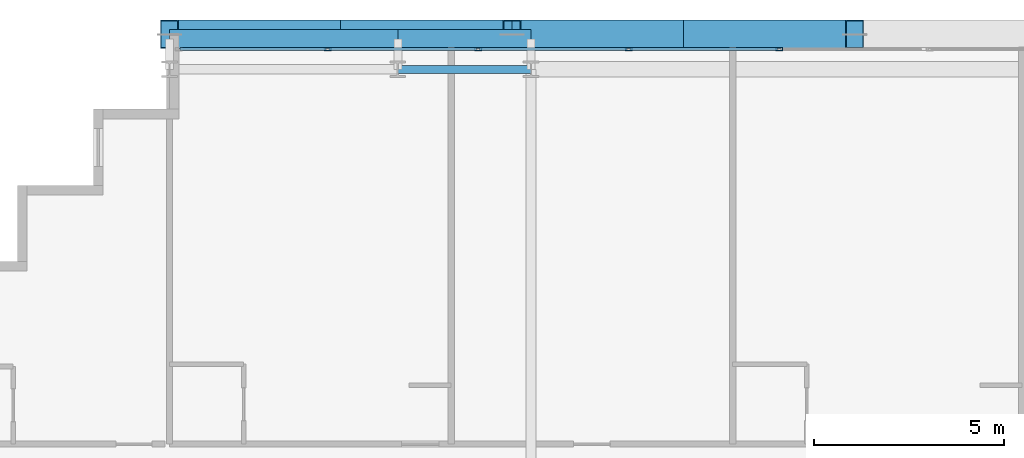
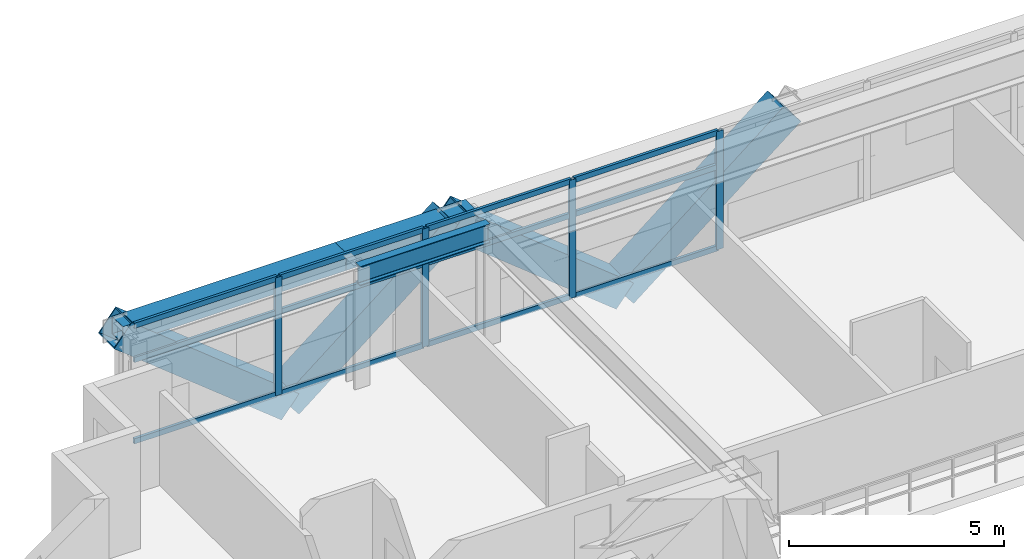
# One storey, part 18 of 35: 20 members, 3 beams, 1 element without a shape of its own.
"""IFC4 building model written with IfcOpenShell, lengths in metres."""

from ifc_helpers import new_model, si_unit, direction, frame, origin, origin_2d, place, context, subcontext, project, spatial, hollow_rectangle, i_section, extrude, source, transform, mapped, material, layer, layer_set, material_profile, profile_set, type_object, element, aggregate, save


model = new_model("IFC4")

# Units and contexts
model_context = context("Model", 3, precision=1e-05, world=origin(), true_north=direction((0.0, 1.0)))
body_context = subcontext(model_context, "Body", "Model", "MODEL_VIEW")
ifc_project = project(units=[si_unit("LENGTHUNIT", "METRE"), si_unit("AREAUNIT", "SQUARE_METRE"), si_unit("VOLUMEUNIT", "CUBIC_METRE"), si_unit("PLANEANGLEUNIT", "RADIAN"), si_unit("MASSUNIT", "GRAM", prefix="KILO")], contexts=[model_context])

# Site, building, storey
site_placement = place(None, origin())
site = spatial("IfcSite", under=ifc_project, at=site_placement, CompositionType="ELEMENT")
building_placement = place(site_placement, origin())
building = spatial("IfcBuilding", under=site, at=building_placement, Name="Ocotamira Hotel", CompositionType="ELEMENT")
storey_placement = place(building_placement, frame((0.0, 0.0, 115.199951171875)))
storey = spatial("IfcBuildingStorey", under=building, at=storey_placement, Name="L28", CompositionType="ELEMENT", Elevation=115.199951171875)

# Beams
ifc_material_1 = material(Name="Steel ASTM A992 Grade 50", Category="steel")
ifc_material_profile_1 = material_profile(ifc_material_1, i_section(OverallWidth=0.2099609375, OverallDepth=0.537109375, WebThickness=0.010986328125, FlangeThickness=0.017333984375, FilletRadius=0.012939453125, at=origin_2d()), Name="W21X68")
ifc_profile_set_1 = profile_set([ifc_material_profile_1], Name="Steel ASTM A992 Grade 50")
beam_type_1 = type_object("IfcBeamType", Name="BM-SEC-W21X68", PredefinedType="JOIST", material=ifc_profile_set_1)
shared_shape_1 = source(origin(), body_context, "Body", "SweptSolid", [
    extrude(i_section(OverallWidth=0.2099609375, OverallDepth=0.537109375, WebThickness=0.010986328125, FlangeThickness=0.017333984375, FilletRadius=0.012939453125, at=origin_2d()), origin(), (0.0, 0.0, 1.0), 3.5),
])
beam_1_placement = place(storey_placement, frame((20.0, 49.050048828125, 3.091552734375), z_axis=(1.0, 0.0, 0.0), x_axis=(0.0, 1.0, 0.0)))
element("IfcBeam", 1, at=beam_1_placement, inside=storey, type_object=beam_type_1, Name="L28 Girder Y49.05 X20-23.5", PredefinedType="JOIST", context=body_context, shape_type="MappedRepresentation", body=[
    mapped(shared_shape_1, transform((0.0, 0.0, 0.0), scale=1.0)),
])
ifc_material_2 = material(Name="Steel ASTM A500 Grade C", Category="steel")
ifc_material_profile_2 = material_profile(ifc_material_2, hollow_rectangle(XDim=0.5, YDim=0.5, WallThickness=0.02001953125, at=origin_2d()), Name="HSS500X500X20")
ifc_profile_set_2 = profile_set([ifc_material_profile_2], Name="Steel ASTM A500 Grade C")
beam_type_2 = type_object("IfcBeamType", Name="BM-SPAN-HSS500", PredefinedType="USERDEFINED", material=ifc_profile_set_2)
shared_shape_2 = source(origin(), body_context, "Body", "SweptSolid", [
    extrude(hollow_rectangle(XDim=0.5, YDim=0.5, WallThickness=0.02001953125, at=origin_2d()), origin(), (0.0, 0.0, 1.0), 6.0),
])
beam_2_placement = place(storey_placement, frame((14.0, 49.85009765625, 3.110107421875), z_axis=(1.0, 0.0, 0.0), x_axis=(0.0, 1.0, 0.0)))
element("IfcBeam", 2, at=beam_2_placement, inside=storey, type_object=beam_type_2, Name="L28 Edge Spandrel N X14-20", ObjectType="SPANDREL", PredefinedType="USERDEFINED", context=body_context, shape_type="MappedRepresentation", body=[
    mapped(shared_shape_2, transform((0.0, 0.0, 0.0), scale=1.0)),
])
shared_shape_3 = source(origin(), body_context, "Body", "SweptSolid", [
    extrude(hollow_rectangle(XDim=0.5, YDim=0.5, WallThickness=0.02001953125, at=origin_2d()), origin(), (0.0, 0.0, 1.0), 3.5),
])
beam_3_placement = place(storey_placement, frame((20.0, 49.85009765625, 3.110107421875), z_axis=(1.0, 0.0, 0.0), x_axis=(0.0, 1.0, 0.0)))
element("IfcBeam", 3, at=beam_3_placement, inside=storey, type_object=beam_type_2, Name="L28 Edge Spandrel N X20-23.5", ObjectType="SPANDREL", PredefinedType="USERDEFINED", context=body_context, shape_type="MappedRepresentation", body=[
    mapped(shared_shape_3, transform((0.0, 0.0, 0.0), scale=1.0)),
])

# Members
ifc_material_3 = material(Name="Pale-metal coated steel ASTM A913 Grade 65", Category="steel")
ifc_material_profile_3 = material_profile(ifc_material_3, hollow_rectangle(XDim=0.75, YDim=0.75, WallThickness=0.028076171875, at=origin_2d()), Name="BOX750X750X28")
ifc_profile_set_3 = profile_set([ifc_material_profile_3], Name="Pale-metal coated steel ASTM A913 Grade 65")
member_type_1 = type_object("IfcMemberType", Name="MEM-EXO-BOX750", PredefinedType="BRACE", material=ifc_profile_set_3)
shared_shape_4 = source(origin(), body_context, "Body", "SweptSolid", [
    extrude(hollow_rectangle(XDim=0.75, YDim=0.75, WallThickness=0.028076171875, at=origin_2d()), origin(), (0.0, 0.0, 1.0), 5.762939453125),
])
for number, where, z_axis, x_axis, name in (
    (4, (18.5, 49.969970703125, -0.489990234375), (-0.780860543151, 0.0, 0.624705380279), (0.0, -1.0, 0.0), "L28 Exoskeleton Diagrid N0.1"),
    (5, (18.5, 49.969970703125, -0.489990234375), (0.780860543151, 0.0, 0.624705380279), (0.0, 1.0, 0.0), "L28 Exoskeleton Diagrid N0.2"),
    (6, (27.5, 49.969970703125, -0.489990234375), (-0.780860543151, 0.0, 0.624705380279), (0.0, -1.0, 0.0), "L28 Exoskeleton Diagrid N1.1"),
    (7, (27.5, 49.969970703125, -0.489990234375), (0.780860543151, 0.0, 0.624705380279), (0.0, 1.0, 0.0), "L28 Exoskeleton Diagrid N1.2"),
):
    element("IfcMember", number, at=place(storey_placement, frame(where, z_axis=z_axis, x_axis=x_axis)), inside=storey, type_object=member_type_1, Name=name, PredefinedType="BRACE", context=body_context, shape_type="MappedRepresentation", body=[
        mapped(shared_shape_4, transform((0.0, 0.0, 0.0), scale=1.0)),
    ])

# Curtain wall, members
ifc_material_4 = material(Name="Anodised pale-metal aluminium and solar glass", Category="aluminium")
ifc_layer = layer(ifc_material_4, 0.179931640625)
ifc_layer_set = layer_set([ifc_layer], Name="Anodised pale-metal aluminium and solar glass")
curtain_wall_type = type_object("IfcCurtainWallType", Name="CW-SYS3-Z2", PredefinedType="NOTDEFINED", material=ifc_layer_set)
curtain_wall_placement = place(storey_placement, origin())
curtain_wall = element("IfcCurtainWall", 8, at=curtain_wall_placement, inside=storey, type_object=curtain_wall_type, Name="L28 Curtain Wall CW-3 CW-L28-N", PredefinedType="NOTDEFINED")
ifc_material_5 = material(Name="Anodised pale-metal aluminium 6063-T6", Category="aluminium")
ifc_material_profile_4 = material_profile(ifc_material_5, hollow_rectangle(XDim=0.074951171875, YDim=0.14990234375, WallThickness=0.006103515625, at=origin_2d()), Name="HSS150X75X6")
ifc_profile_set_4 = profile_set([ifc_material_profile_4], Name="Anodised pale-metal aluminium 6063-T6")
member_type_2 = type_object("IfcMemberType", Name="CWT-150X75", PredefinedType="USERDEFINED", material=ifc_profile_set_4)
shared_shape_5 = source(origin(), body_context, "Body", "SweptSolid", [
    extrude(hollow_rectangle(XDim=0.074951171875, YDim=0.14990234375, WallThickness=0.006103515625, at=origin_2d()), origin(), (0.0, 0.0, 1.0), 3.83544921875),
])
member_1_placement = place(storey_placement, frame((14.280029296875, 49.580078125, 0.03759765625), z_axis=(1.0, 0.0, 0.0), x_axis=(0.0, 1.0, 0.0)))
member_1 = element("IfcMember", 9, at=member_1_placement, type_object=member_type_2, Name="CW-3 transom 1.1", ObjectType="TRANSOM", PredefinedType="USERDEFINED", context=body_context, shape_type="MappedRepresentation", body=[
    mapped(shared_shape_5, transform((0.0, 0.0, 0.0), scale=1.0)),
])
member_2_placement = place(storey_placement, frame((14.280029296875, 49.580078125, 2.35009765625), z_axis=(1.0, 0.0, 0.0), x_axis=(0.0, 1.0, 0.0)))
member_2 = element("IfcMember", 10, at=member_2_placement, type_object=member_type_2, Name="CW-3 transom 1.2", ObjectType="TRANSOM", PredefinedType="USERDEFINED", context=body_context, shape_type="MappedRepresentation", body=[
    mapped(shared_shape_5, transform((0.0, 0.0, 0.0), scale=1.0)),
])
member_3_placement = place(storey_placement, frame((14.280029296875, 49.580078125, 3.322509765625), z_axis=(1.0, 0.0, 0.0), x_axis=(0.0, 1.0, 0.0)))
member_3 = element("IfcMember", 11, at=member_3_placement, type_object=member_type_2, Name="CW-3 transom 1.3", ObjectType="TRANSOM", PredefinedType="USERDEFINED", context=body_context, shape_type="MappedRepresentation", body=[
    mapped(shared_shape_5, transform((0.0, 0.0, 0.0), scale=1.0)),
])
shared_shape_6 = source(origin(), body_context, "Body", "SweptSolid", [
    extrude(hollow_rectangle(XDim=0.074951171875, YDim=0.14990234375, WallThickness=0.006103515625, at=origin_2d()), origin(), (0.0, 0.0, 1.0), 3.87548828125),
])
member_4_placement = place(storey_placement, frame((18.195556640625, 49.580078125, 0.03759765625), z_axis=(1.0, 0.0, 0.0), x_axis=(0.0, 1.0, 0.0)))
member_4 = element("IfcMember", 12, at=member_4_placement, type_object=member_type_2, Name="CW-3 transom 2.1", ObjectType="TRANSOM", PredefinedType="USERDEFINED", context=body_context, shape_type="MappedRepresentation", body=[
    mapped(shared_shape_6, transform((0.0, 0.0, 0.0), scale=1.0)),
])
member_5_placement = place(storey_placement, frame((18.195556640625, 49.580078125, 2.35009765625), z_axis=(1.0, 0.0, 0.0), x_axis=(0.0, 1.0, 0.0)))
member_5 = element("IfcMember", 13, at=member_5_placement, type_object=member_type_2, Name="CW-3 transom 2.2", ObjectType="TRANSOM", PredefinedType="USERDEFINED", context=body_context, shape_type="MappedRepresentation", body=[
    mapped(shared_shape_6, transform((0.0, 0.0, 0.0), scale=1.0)),
])
member_6_placement = place(storey_placement, frame((18.195556640625, 49.580078125, 3.322509765625), z_axis=(1.0, 0.0, 0.0), x_axis=(0.0, 1.0, 0.0)))
member_6 = element("IfcMember", 14, at=member_6_placement, type_object=member_type_2, Name="CW-3 transom 2.3", ObjectType="TRANSOM", PredefinedType="USERDEFINED", context=body_context, shape_type="MappedRepresentation", body=[
    mapped(shared_shape_6, transform((0.0, 0.0, 0.0), scale=1.0)),
])
member_7_placement = place(storey_placement, frame((22.151123046875, 49.580078125, 0.03759765625), z_axis=(1.0, 0.0, 0.0), x_axis=(0.0, 1.0, 0.0)))
member_7 = element("IfcMember", 15, at=member_7_placement, type_object=member_type_2, Name="CW-3 transom 3.1", ObjectType="TRANSOM", PredefinedType="USERDEFINED", context=body_context, shape_type="MappedRepresentation", body=[
    mapped(shared_shape_6, transform((0.0, 0.0, 0.0), scale=1.0)),
])
member_8_placement = place(storey_placement, frame((22.151123046875, 49.580078125, 2.35009765625), z_axis=(1.0, 0.0, 0.0), x_axis=(0.0, 1.0, 0.0)))
member_8 = element("IfcMember", 16, at=member_8_placement, type_object=member_type_2, Name="CW-3 transom 3.2", ObjectType="TRANSOM", PredefinedType="USERDEFINED", context=body_context, shape_type="MappedRepresentation", body=[
    mapped(shared_shape_6, transform((0.0, 0.0, 0.0), scale=1.0)),
])
member_9_placement = place(storey_placement, frame((22.151123046875, 49.580078125, 3.322509765625), z_axis=(1.0, 0.0, 0.0), x_axis=(0.0, 1.0, 0.0)))
member_9 = element("IfcMember", 17, at=member_9_placement, type_object=member_type_2, Name="CW-3 transom 3.3", ObjectType="TRANSOM", PredefinedType="USERDEFINED", context=body_context, shape_type="MappedRepresentation", body=[
    mapped(shared_shape_6, transform((0.0, 0.0, 0.0), scale=1.0)),
])
member_10_placement = place(storey_placement, frame((26.106689453125, 49.580078125, 0.03759765625), z_axis=(1.0, 0.0, 0.0), x_axis=(0.0, 1.0, 0.0)))
member_10 = element("IfcMember", 18, at=member_10_placement, type_object=member_type_2, Name="CW-3 transom 4.1", ObjectType="TRANSOM", PredefinedType="USERDEFINED", context=body_context, shape_type="MappedRepresentation", body=[
    mapped(shared_shape_6, transform((0.0, 0.0, 0.0), scale=1.0)),
])
member_11_placement = place(storey_placement, frame((26.106689453125, 49.580078125, 2.35009765625), z_axis=(1.0, 0.0, 0.0), x_axis=(0.0, 1.0, 0.0)))
member_11 = element("IfcMember", 19, at=member_11_placement, type_object=member_type_2, Name="CW-3 transom 4.2", ObjectType="TRANSOM", PredefinedType="USERDEFINED", context=body_context, shape_type="MappedRepresentation", body=[
    mapped(shared_shape_6, transform((0.0, 0.0, 0.0), scale=1.0)),
])
member_12_placement = place(storey_placement, frame((26.106689453125, 49.580078125, 3.322509765625), z_axis=(1.0, 0.0, 0.0), x_axis=(0.0, 1.0, 0.0)))
member_12 = element("IfcMember", 20, at=member_12_placement, type_object=member_type_2, Name="CW-3 transom 4.3", ObjectType="TRANSOM", PredefinedType="USERDEFINED", context=body_context, shape_type="MappedRepresentation", body=[
    mapped(shared_shape_6, transform((0.0, 0.0, 0.0), scale=1.0)),
])
ifc_material_profile_5 = material_profile(ifc_material_5, hollow_rectangle(XDim=0.080078125, YDim=0.179931640625, WallThickness=0.006103515625, at=origin_2d()), Name="HSS180X80X6")
ifc_profile_set_5 = profile_set([ifc_material_profile_5], Name="Anodised pale-metal aluminium 6063-T6")
member_type_3 = type_object("IfcMemberType", Name="CWM-180X75", PredefinedType="MULLION", material=ifc_profile_set_5)
shared_shape_7 = source(origin(), body_context, "Body", "SweptSolid", [
    extrude(hollow_rectangle(XDim=0.080078125, YDim=0.179931640625, WallThickness=0.006103515625, at=origin_2d()), origin(), (0.0, 0.0, 1.0), 3.360107421875),
])
member_13_placement = place(storey_placement, frame((18.155517578125, 49.580078125, 0.0), z_axis=(0.0, 0.0, 1.0), x_axis=(0.0, 1.0, 0.0)))
member_13 = element("IfcMember", 21, at=member_13_placement, type_object=member_type_3, Name="CW-3 mullion 2", PredefinedType="MULLION", context=body_context, shape_type="MappedRepresentation", body=[
    mapped(shared_shape_7, transform((0.0, 0.0, 0.0), scale=1.0)),
])
member_14_placement = place(storey_placement, frame((22.111083984375, 49.580078125, 0.0), z_axis=(0.0, 0.0, 1.0), x_axis=(0.0, 1.0, 0.0)))
member_14 = element("IfcMember", 22, at=member_14_placement, type_object=member_type_3, Name="CW-3 mullion 3", PredefinedType="MULLION", context=body_context, shape_type="MappedRepresentation", body=[
    mapped(shared_shape_7, transform((0.0, 0.0, 0.0), scale=1.0)),
])
member_15_placement = place(storey_placement, frame((26.066650390625, 49.580078125, 0.0), z_axis=(0.0, 0.0, 1.0), x_axis=(0.0, 1.0, 0.0)))
member_15 = element("IfcMember", 23, at=member_15_placement, type_object=member_type_3, Name="CW-3 mullion 4", PredefinedType="MULLION", context=body_context, shape_type="MappedRepresentation", body=[
    mapped(shared_shape_7, transform((0.0, 0.0, 0.0), scale=1.0)),
])
member_16_placement = place(storey_placement, frame((30.022216796875, 49.580078125, 0.0), z_axis=(0.0, 0.0, 1.0), x_axis=(0.0, 1.0, 0.0)))
member_16 = element("IfcMember", 24, at=member_16_placement, type_object=member_type_3, Name="CW-3 mullion 5", PredefinedType="MULLION", context=body_context, shape_type="MappedRepresentation", body=[
    mapped(shared_shape_7, transform((0.0, 0.0, 0.0), scale=1.0)),
])
aggregate(curtain_wall, [member_13, member_14, member_15, member_16, member_1, member_2, member_3, member_4, member_5, member_6, member_7, member_8, member_9, member_10, member_11, member_12])

save(model, "model.ifc")
